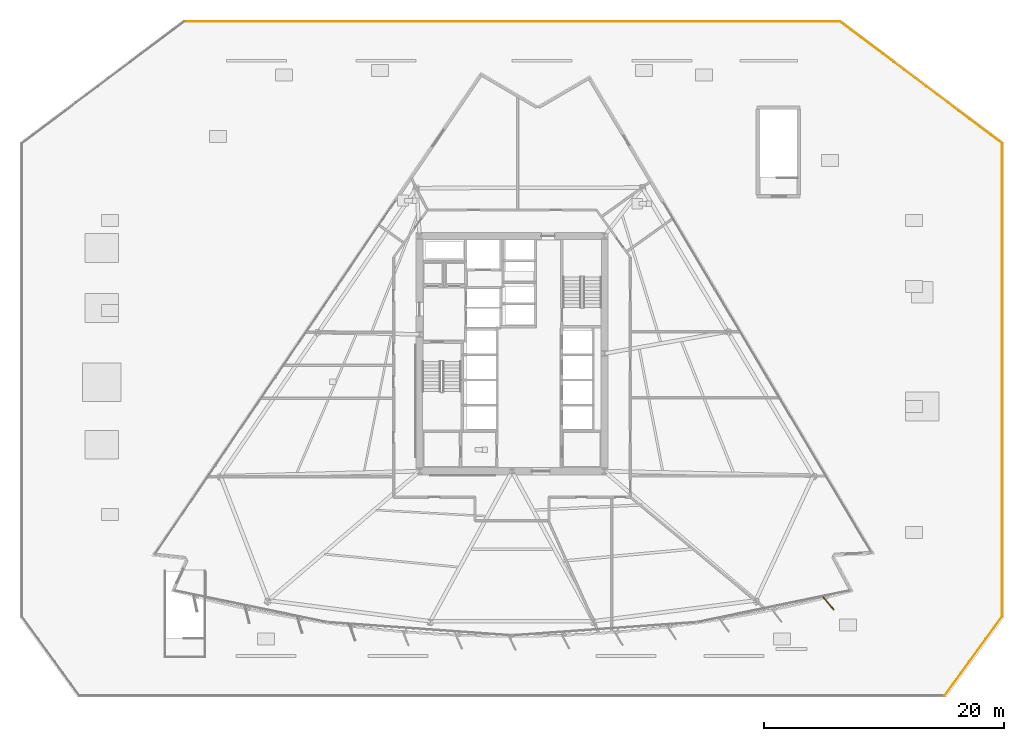
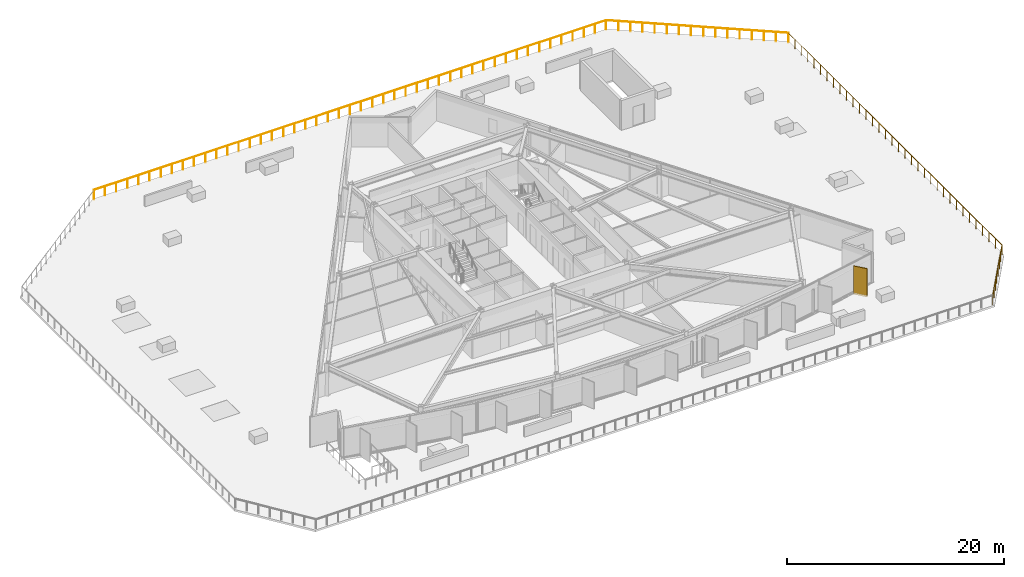
# One storey, part 18 of 19: 4 railings, 1 shading device.
"""IFC4 building model written with IfcOpenShell, lengths in metres."""

from ifc_helpers import new_model, si_unit, direction, frame, origin, origin_2d, place, context, subcontext, project, spatial, rectangle, circle, extrude, material, type_object, element, save


model = new_model("IFC4")

# Units and contexts
model_context = context("Model", 3, precision=1e-05, world=origin(), true_north=direction((0.0, 1.0)))
body_context = subcontext(model_context, "Body", "Model", "MODEL_VIEW")
ifc_project = project(units=[si_unit("LENGTHUNIT", "METRE"), si_unit("AREAUNIT", "SQUARE_METRE"), si_unit("VOLUMEUNIT", "CUBIC_METRE"), si_unit("PLANEANGLEUNIT", "RADIAN"), si_unit("MASSUNIT", "GRAM", prefix="KILO")], contexts=[model_context])

# Site, building, storey
site_placement = place(None, origin())
site = spatial("IfcSite", under=ifc_project, at=site_placement, CompositionType="ELEMENT")
building_placement = place(site_placement, origin())
building = spatial("IfcBuilding", under=site, at=building_placement, Name="Savorim Split Tower", CompositionType="ELEMENT")
storey_placement = place(building_placement, frame((0.0, 0.0, 26.39990234375)))
storey = spatial("IfcBuildingStorey", under=building, at=storey_placement, Name="L06", CompositionType="ELEMENT", Elevation=26.39990234375)

# Railings
ifc_material_1 = material(Name="Galvanised Painted Steel Balustrade", Category="steel")
railing_type = type_object("IfcRailingType", Name="RLG-BAL-1100", PredefinedType="BALUSTRADE", material=ifc_material_1)
railing_1_placement = place(storey_placement, frame((36.05517578125, -28.087158203125, 0.0)))
element("IfcRailing", 1, at=railing_1_placement, inside=storey, type_object=railing_type, Name="L06 Raised Public Garden Perimeter Balustrade 2", PredefinedType="BALUSTRADE", context=body_context, shape_type="SweptSolid", body=[
    extrude(circle(Radius=0.02392578125, at=origin_2d()), frame((0.0, 0.0, 1.076171875), z_axis=(0.588175269581, 0.808733486542, 0.0), x_axis=(-0.808733486542, 0.588175269581, 0.0)), (0.0, 0.0, 1.0), 8.128173828125),
    extrude(circle(Radius=0.02099609375, at=origin_2d()), origin(), (0.0, 0.0, 1.0), 1.052001953125),
    extrude(circle(Radius=0.02099609375, at=origin_2d()), frame((0.682861328125, 0.93896484375, 0.0)), (0.0, 0.0, 1.0), 1.052001953125),
    extrude(circle(Radius=0.02099609375, at=origin_2d()), frame((1.365966796875, 1.878173828125, 0.0)), (0.0, 0.0, 1.0), 1.052001953125),
    extrude(circle(Radius=0.02099609375, at=origin_2d()), frame((2.048828125, 2.817138671875, 0.0)), (0.0, 0.0, 1.0), 1.052001953125),
    extrude(circle(Radius=0.02099609375, at=origin_2d()), frame((2.73193359375, 3.75634765625, 0.0)), (0.0, 0.0, 1.0), 1.052001953125),
    extrude(circle(Radius=0.02099609375, at=origin_2d()), frame((3.414794921875, 4.6953125, 0.0)), (0.0, 0.0, 1.0), 1.052001953125),
    extrude(circle(Radius=0.02099609375, at=origin_2d()), frame((4.097900390625, 5.634521484375, 0.0)), (0.0, 0.0, 1.0), 1.052001953125),
    extrude(circle(Radius=0.02099609375, at=origin_2d()), frame((4.78076171875, 6.573486328125, 0.0)), (0.0, 0.0, 1.0), 1.052001953125),
])
railing_2_placement = place(storey_placement, frame((40.8359375, -21.513671875, 0.0)))
element("IfcRailing", 2, at=railing_2_placement, inside=storey, type_object=railing_type, Name="L06 Raised Public Garden Perimeter Balustrade 3", PredefinedType="BALUSTRADE", context=body_context, shape_type="SweptSolid", body=[
    extrude(circle(Radius=0.02392578125, at=origin_2d()), frame((0.0, 0.0, 1.076171875), z_axis=(0.0, 1.0, 0.0), x_axis=(-1.0, 0.0, 0.0)), (0.0, 0.0, 1.0), 39.441650390625),
    extrude(circle(Radius=0.02099609375, at=origin_2d()), origin(), (0.0, 0.0, 1.0), 1.052001953125),
    extrude(circle(Radius=0.02099609375, at=origin_2d()), frame((0.0, 1.1953125, 0.0)), (0.0, 0.0, 1.0), 1.052001953125),
    extrude(circle(Radius=0.02099609375, at=origin_2d()), frame((0.0, 2.390380859375, 0.0)), (0.0, 0.0, 1.0), 1.052001953125),
    extrude(circle(Radius=0.02099609375, at=origin_2d()), frame((0.0, 3.585693359375, 0.0)), (0.0, 0.0, 1.0), 1.052001953125),
    extrude(circle(Radius=0.02099609375, at=origin_2d()), frame((0.0, 4.78076171875, 0.0)), (0.0, 0.0, 1.0), 1.052001953125),
    extrude(circle(Radius=0.02099609375, at=origin_2d()), frame((0.0, 5.97607421875, 0.0)), (0.0, 0.0, 1.0), 1.052001953125),
    extrude(circle(Radius=0.02099609375, at=origin_2d()), frame((0.0, 7.171142578125, 0.0)), (0.0, 0.0, 1.0), 1.052001953125),
    extrude(circle(Radius=0.02099609375, at=origin_2d()), frame((0.0, 8.366455078125, 0.0)), (0.0, 0.0, 1.0), 1.052001953125),
    extrude(circle(Radius=0.02099609375, at=origin_2d()), frame((0.0, 9.5615234375, 0.0)), (0.0, 0.0, 1.0), 1.052001953125),
    extrude(circle(Radius=0.02099609375, at=origin_2d()), frame((0.0, 10.7568359375, 0.0)), (0.0, 0.0, 1.0), 1.052001953125),
    extrude(circle(Radius=0.02099609375, at=origin_2d()), frame((0.0, 11.951904296875, 0.0)), (0.0, 0.0, 1.0), 1.052001953125),
    extrude(circle(Radius=0.02099609375, at=origin_2d()), frame((0.0, 13.147216796875, 0.0)), (0.0, 0.0, 1.0), 1.052001953125),
    extrude(circle(Radius=0.02099609375, at=origin_2d()), frame((0.0, 14.342529296875, 0.0)), (0.0, 0.0, 1.0), 1.052001953125),
    extrude(circle(Radius=0.02099609375, at=origin_2d()), frame((0.0, 15.53759765625, 0.0)), (0.0, 0.0, 1.0), 1.052001953125),
    extrude(circle(Radius=0.02099609375, at=origin_2d()), frame((0.0, 16.73291015625, 0.0)), (0.0, 0.0, 1.0), 1.052001953125),
    extrude(circle(Radius=0.02099609375, at=origin_2d()), frame((0.0, 17.927978515625, 0.0)), (0.0, 0.0, 1.0), 1.052001953125),
    extrude(circle(Radius=0.02099609375, at=origin_2d()), frame((0.0, 19.123291015625, 0.0)), (0.0, 0.0, 1.0), 1.052001953125),
    extrude(circle(Radius=0.02099609375, at=origin_2d()), frame((0.0, 20.318359375, 0.0)), (0.0, 0.0, 1.0), 1.052001953125),
    extrude(circle(Radius=0.02099609375, at=origin_2d()), frame((0.0, 21.513671875, 0.0)), (0.0, 0.0, 1.0), 1.052001953125),
    extrude(circle(Radius=0.02099609375, at=origin_2d()), frame((0.0, 22.708740234375, 0.0)), (0.0, 0.0, 1.0), 1.052001953125),
    extrude(circle(Radius=0.02099609375, at=origin_2d()), frame((0.0, 23.904052734375, 0.0)), (0.0, 0.0, 1.0), 1.052001953125),
    extrude(circle(Radius=0.02099609375, at=origin_2d()), frame((0.0, 25.09912109375, 0.0)), (0.0, 0.0, 1.0), 1.052001953125),
    extrude(circle(Radius=0.02099609375, at=origin_2d()), frame((0.0, 26.29443359375, 0.0)), (0.0, 0.0, 1.0), 1.052001953125),
    extrude(circle(Radius=0.02099609375, at=origin_2d()), frame((0.0, 27.48974609375, 0.0)), (0.0, 0.0, 1.0), 1.052001953125),
    extrude(circle(Radius=0.02099609375, at=origin_2d()), frame((0.0, 28.684814453125, 0.0)), (0.0, 0.0, 1.0), 1.052001953125),
    extrude(circle(Radius=0.02099609375, at=origin_2d()), frame((0.0, 29.880126953125, 0.0)), (0.0, 0.0, 1.0), 1.052001953125),
    extrude(circle(Radius=0.02099609375, at=origin_2d()), frame((0.0, 31.0751953125, 0.0)), (0.0, 0.0, 1.0), 1.052001953125),
    extrude(circle(Radius=0.02099609375, at=origin_2d()), frame((0.0, 32.2705078125, 0.0)), (0.0, 0.0, 1.0), 1.052001953125),
    extrude(circle(Radius=0.02099609375, at=origin_2d()), frame((0.0, 33.465576171875, 0.0)), (0.0, 0.0, 1.0), 1.052001953125),
    extrude(circle(Radius=0.02099609375, at=origin_2d()), frame((0.0, 34.660888671875, 0.0)), (0.0, 0.0, 1.0), 1.052001953125),
    extrude(circle(Radius=0.02099609375, at=origin_2d()), frame((0.0, 35.85595703125, 0.0)), (0.0, 0.0, 1.0), 1.052001953125),
    extrude(circle(Radius=0.02099609375, at=origin_2d()), frame((0.0, 37.05126953125, 0.0)), (0.0, 0.0, 1.0), 1.052001953125),
    extrude(circle(Radius=0.02099609375, at=origin_2d()), frame((0.0, 38.246337890625, 0.0)), (0.0, 0.0, 1.0), 1.052001953125),
    extrude(circle(Radius=0.02099609375, at=origin_2d()), frame((0.0, 39.441650390625, 0.0)), (0.0, 0.0, 1.0), 1.052001953125),
])
railing_3_placement = place(storey_placement, frame((40.8359375, 17.927978515625, 0.0)))
element("IfcRailing", 3, at=railing_3_placement, inside=storey, type_object=railing_type, Name="L06 Raised Public Garden Perimeter Balustrade 4", PredefinedType="BALUSTRADE", context=body_context, shape_type="SweptSolid", body=[
    extrude(circle(Radius=0.02392578125, at=origin_2d()), frame((0.0, 0.0, 1.076171875), z_axis=(-0.80000173026, 0.59999769298, 0.0), x_axis=(-0.59999769298, -0.80000173026, 0.0)), (0.0, 0.0, 1.0), 16.93212890625),
    extrude(circle(Radius=0.02099609375, at=origin_2d()), origin(), (0.0, 0.0, 1.0), 1.052001953125),
    extrude(circle(Radius=0.02099609375, at=origin_2d()), frame((-0.903076171875, 0.67724609375, 0.0)), (0.0, 0.0, 1.0), 1.052001953125),
    extrude(circle(Radius=0.02099609375, at=origin_2d()), frame((-1.80615234375, 1.3544921875, 0.0)), (0.0, 0.0, 1.0), 1.052001953125),
    extrude(circle(Radius=0.02099609375, at=origin_2d()), frame((-2.709228515625, 2.03173828125, 0.0)), (0.0, 0.0, 1.0), 1.052001953125),
    extrude(circle(Radius=0.02099609375, at=origin_2d()), frame((-3.612060546875, 2.709228515625, 0.0)), (0.0, 0.0, 1.0), 1.052001953125),
    extrude(circle(Radius=0.02099609375, at=origin_2d()), frame((-4.51513671875, 3.386474609375, 0.0)), (0.0, 0.0, 1.0), 1.052001953125),
    extrude(circle(Radius=0.02099609375, at=origin_2d()), frame((-5.418212890625, 4.063720703125, 0.0)), (0.0, 0.0, 1.0), 1.052001953125),
    extrude(circle(Radius=0.02099609375, at=origin_2d()), frame((-6.3212890625, 4.740966796875, 0.0)), (0.0, 0.0, 1.0), 1.052001953125),
    extrude(circle(Radius=0.02099609375, at=origin_2d()), frame((-7.224365234375, 5.418212890625, 0.0)), (0.0, 0.0, 1.0), 1.052001953125),
    extrude(circle(Radius=0.02099609375, at=origin_2d()), frame((-8.12744140625, 6.095458984375, 0.0)), (0.0, 0.0, 1.0), 1.052001953125),
    extrude(circle(Radius=0.02099609375, at=origin_2d()), frame((-9.030517578125, 6.772705078125, 0.0)), (0.0, 0.0, 1.0), 1.052001953125),
    extrude(circle(Radius=0.02099609375, at=origin_2d()), frame((-9.93359375, 7.449951171875, 0.0)), (0.0, 0.0, 1.0), 1.052001953125),
    extrude(circle(Radius=0.02099609375, at=origin_2d()), frame((-10.83642578125, 8.12744140625, 0.0)), (0.0, 0.0, 1.0), 1.052001953125),
    extrude(circle(Radius=0.02099609375, at=origin_2d()), frame((-11.739501953125, 8.8046875, 0.0)), (0.0, 0.0, 1.0), 1.052001953125),
    extrude(circle(Radius=0.02099609375, at=origin_2d()), frame((-12.642578125, 9.48193359375, 0.0)), (0.0, 0.0, 1.0), 1.052001953125),
    extrude(circle(Radius=0.02099609375, at=origin_2d()), frame((-13.545654296875, 10.1591796875, 0.0)), (0.0, 0.0, 1.0), 1.052001953125),
])
railing_4_placement = place(storey_placement, frame((27.290283203125, 28.087158203125, 0.0)))
element("IfcRailing", 4, at=railing_4_placement, inside=storey, type_object=railing_type, Name="L06 Raised Public Garden Perimeter Balustrade 5", PredefinedType="BALUSTRADE", context=body_context, shape_type="SweptSolid", body=[
    extrude(circle(Radius=0.02392578125, at=origin_2d()), frame((0.0, 0.0, 1.076171875), z_axis=(-1.0, 0.0, 0.0), x_axis=(0.0, -1.0, 0.0)), (0.0, 0.0, 1.0), 54.58056640625),
    extrude(circle(Radius=0.02099609375, at=origin_2d()), origin(), (0.0, 0.0, 1.0), 1.052001953125),
    extrude(circle(Radius=0.02099609375, at=origin_2d()), frame((-1.1865234375, 0.0, 0.0)), (0.0, 0.0, 1.0), 1.052001953125),
    extrude(circle(Radius=0.02099609375, at=origin_2d()), frame((-2.373046875, 0.0, 0.0)), (0.0, 0.0, 1.0), 1.052001953125),
    extrude(circle(Radius=0.02099609375, at=origin_2d()), frame((-3.5595703125, 0.0, 0.0)), (0.0, 0.0, 1.0), 1.052001953125),
    extrude(circle(Radius=0.02099609375, at=origin_2d()), frame((-4.74609375, 0.0, 0.0)), (0.0, 0.0, 1.0), 1.052001953125),
    extrude(circle(Radius=0.02099609375, at=origin_2d()), frame((-5.9326171875, 0.0, 0.0)), (0.0, 0.0, 1.0), 1.052001953125),
    extrude(circle(Radius=0.02099609375, at=origin_2d()), frame((-7.119140625, 0.0, 0.0)), (0.0, 0.0, 1.0), 1.052001953125),
    extrude(circle(Radius=0.02099609375, at=origin_2d()), frame((-8.3056640625, 0.0, 0.0)), (0.0, 0.0, 1.0), 1.052001953125),
    extrude(circle(Radius=0.02099609375, at=origin_2d()), frame((-9.4921875, 0.0, 0.0)), (0.0, 0.0, 1.0), 1.052001953125),
    extrude(circle(Radius=0.02099609375, at=origin_2d()), frame((-10.6787109375, 0.0, 0.0)), (0.0, 0.0, 1.0), 1.052001953125),
    extrude(circle(Radius=0.02099609375, at=origin_2d()), frame((-11.865234375, 0.0, 0.0)), (0.0, 0.0, 1.0), 1.052001953125),
    extrude(circle(Radius=0.02099609375, at=origin_2d()), frame((-13.0517578125, 0.0, 0.0)), (0.0, 0.0, 1.0), 1.052001953125),
    extrude(circle(Radius=0.02099609375, at=origin_2d()), frame((-14.238525390625, 0.0, 0.0)), (0.0, 0.0, 1.0), 1.052001953125),
    extrude(circle(Radius=0.02099609375, at=origin_2d()), frame((-15.425048828125, 0.0, 0.0)), (0.0, 0.0, 1.0), 1.052001953125),
    extrude(circle(Radius=0.02099609375, at=origin_2d()), frame((-16.611572265625, 0.0, 0.0)), (0.0, 0.0, 1.0), 1.052001953125),
    extrude(circle(Radius=0.02099609375, at=origin_2d()), frame((-17.798095703125, 0.0, 0.0)), (0.0, 0.0, 1.0), 1.052001953125),
    extrude(circle(Radius=0.02099609375, at=origin_2d()), frame((-18.984619140625, 0.0, 0.0)), (0.0, 0.0, 1.0), 1.052001953125),
    extrude(circle(Radius=0.02099609375, at=origin_2d()), frame((-20.171142578125, 0.0, 0.0)), (0.0, 0.0, 1.0), 1.052001953125),
    extrude(circle(Radius=0.02099609375, at=origin_2d()), frame((-21.357666015625, 0.0, 0.0)), (0.0, 0.0, 1.0), 1.052001953125),
    extrude(circle(Radius=0.02099609375, at=origin_2d()), frame((-22.544189453125, 0.0, 0.0)), (0.0, 0.0, 1.0), 1.052001953125),
    extrude(circle(Radius=0.02099609375, at=origin_2d()), frame((-23.730712890625, 0.0, 0.0)), (0.0, 0.0, 1.0), 1.052001953125),
    extrude(circle(Radius=0.02099609375, at=origin_2d()), frame((-24.917236328125, 0.0, 0.0)), (0.0, 0.0, 1.0), 1.052001953125),
    extrude(circle(Radius=0.02099609375, at=origin_2d()), frame((-26.103759765625, 0.0, 0.0)), (0.0, 0.0, 1.0), 1.052001953125),
    extrude(circle(Radius=0.02099609375, at=origin_2d()), frame((-27.290283203125, 0.0, 0.0)), (0.0, 0.0, 1.0), 1.052001953125),
    extrude(circle(Radius=0.02099609375, at=origin_2d()), frame((-28.476806640625, 0.0, 0.0)), (0.0, 0.0, 1.0), 1.052001953125),
    extrude(circle(Radius=0.02099609375, at=origin_2d()), frame((-29.663330078125, 0.0, 0.0)), (0.0, 0.0, 1.0), 1.052001953125),
    extrude(circle(Radius=0.02099609375, at=origin_2d()), frame((-30.849853515625, 0.0, 0.0)), (0.0, 0.0, 1.0), 1.052001953125),
    extrude(circle(Radius=0.02099609375, at=origin_2d()), frame((-32.036376953125, 0.0, 0.0)), (0.0, 0.0, 1.0), 1.052001953125),
    extrude(circle(Radius=0.02099609375, at=origin_2d()), frame((-33.222900390625, 0.0, 0.0)), (0.0, 0.0, 1.0), 1.052001953125),
    extrude(circle(Radius=0.02099609375, at=origin_2d()), frame((-34.409423828125, 0.0, 0.0)), (0.0, 0.0, 1.0), 1.052001953125),
    extrude(circle(Radius=0.02099609375, at=origin_2d()), frame((-35.595947265625, 0.0, 0.0)), (0.0, 0.0, 1.0), 1.052001953125),
    extrude(circle(Radius=0.02099609375, at=origin_2d()), frame((-36.782470703125, 0.0, 0.0)), (0.0, 0.0, 1.0), 1.052001953125),
    extrude(circle(Radius=0.02099609375, at=origin_2d()), frame((-37.968994140625, 0.0, 0.0)), (0.0, 0.0, 1.0), 1.052001953125),
    extrude(circle(Radius=0.02099609375, at=origin_2d()), frame((-39.155517578125, 0.0, 0.0)), (0.0, 0.0, 1.0), 1.052001953125),
    extrude(circle(Radius=0.02099609375, at=origin_2d()), frame((-40.342041015625, 0.0, 0.0)), (0.0, 0.0, 1.0), 1.052001953125),
    extrude(circle(Radius=0.02099609375, at=origin_2d()), frame((-41.52880859375, 0.0, 0.0)), (0.0, 0.0, 1.0), 1.052001953125),
    extrude(circle(Radius=0.02099609375, at=origin_2d()), frame((-42.71533203125, 0.0, 0.0)), (0.0, 0.0, 1.0), 1.052001953125),
    extrude(circle(Radius=0.02099609375, at=origin_2d()), frame((-43.90185546875, 0.0, 0.0)), (0.0, 0.0, 1.0), 1.052001953125),
    extrude(circle(Radius=0.02099609375, at=origin_2d()), frame((-45.08837890625, 0.0, 0.0)), (0.0, 0.0, 1.0), 1.052001953125),
    extrude(circle(Radius=0.02099609375, at=origin_2d()), frame((-46.27490234375, 0.0, 0.0)), (0.0, 0.0, 1.0), 1.052001953125),
    extrude(circle(Radius=0.02099609375, at=origin_2d()), frame((-47.46142578125, 0.0, 0.0)), (0.0, 0.0, 1.0), 1.052001953125),
    extrude(circle(Radius=0.02099609375, at=origin_2d()), frame((-48.64794921875, 0.0, 0.0)), (0.0, 0.0, 1.0), 1.052001953125),
    extrude(circle(Radius=0.02099609375, at=origin_2d()), frame((-49.83447265625, 0.0, 0.0)), (0.0, 0.0, 1.0), 1.052001953125),
    extrude(circle(Radius=0.02099609375, at=origin_2d()), frame((-51.02099609375, 0.0, 0.0)), (0.0, 0.0, 1.0), 1.052001953125),
    extrude(circle(Radius=0.02099609375, at=origin_2d()), frame((-52.20751953125, 0.0, 0.0)), (0.0, 0.0, 1.0), 1.052001953125),
    extrude(circle(Radius=0.02099609375, at=origin_2d()), frame((-53.39404296875, 0.0, 0.0)), (0.0, 0.0, 1.0), 1.052001953125),
    extrude(circle(Radius=0.02099609375, at=origin_2d()), frame((-54.58056640625, 0.0, 0.0)), (0.0, 0.0, 1.0), 1.052001953125),
])

# Shading device
ifc_material_2 = material(Name="Terracotta Ceramic-Coated Aluminium Fin", Category="masonry")
shading_device_type = type_object("IfcShadingDeviceType", Name="SHD-FIN-1360", PredefinedType="USERDEFINED", material=ifc_material_2)
shading_device_placement = place(storey_placement, frame((26.377197265625, -20.4208984375, -0.19970703125), z_axis=(0.0, 0.0, 1.0), x_axis=(0.643719022682, -0.765261928909, 0.0)))
element("IfcShadingDevice", 5, at=shading_device_placement, inside=storey, type_object=shading_device_type, Name="L06 Sawtooth Shading Fin 13", ObjectType="FIN", PredefinedType="USERDEFINED", context=body_context, shape_type="SweptSolid", body=[
    extrude(rectangle(XDim=1.360107421875, YDim=0.080078125, at=origin_2d()), origin(), (0.0, 0.0, 1.0), 3.199951171875),
])

save(model, "model.ifc")
